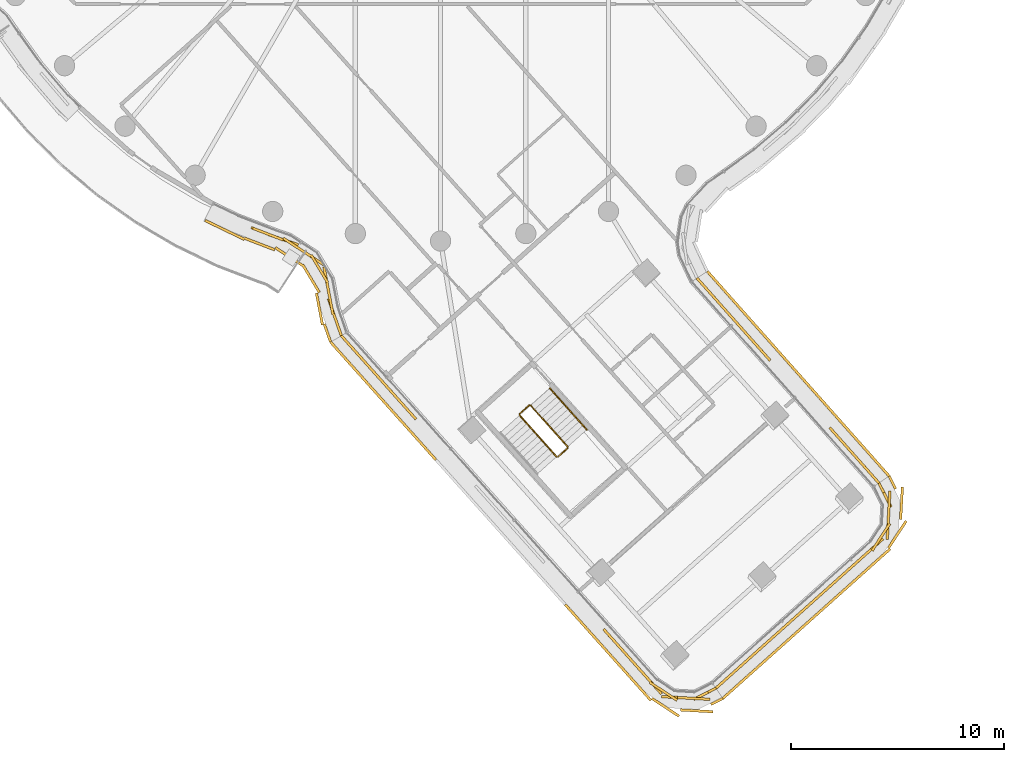
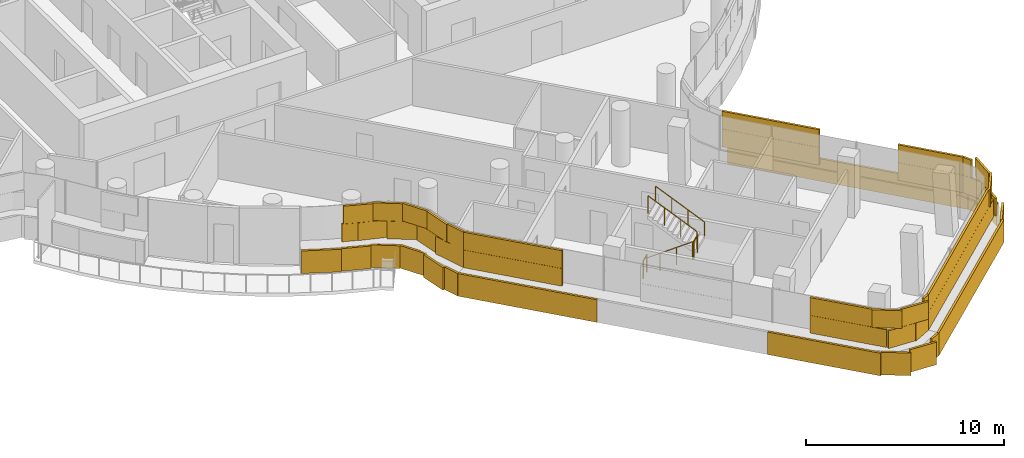
# One storey, part 27 of 33: 5 coverings, 5 railings.
"""IFC4 building model written with IfcOpenShell, lengths in metres."""

import ifcopenshell
import ifcopenshell.guid

model = None  # the IFC model being written
_history = None  # IfcOwnerHistory: only IFC2X3 demands one
_inside = {}  # id of a spatial element -> (the spatial element, [elements in it])
_under = {}  # id of a project, library or spatial element -> (it, [spatial elements below it])
_declared = {}  # id of a project -> (the project, [libraries it declares])
_typed = {}  # id of a type object -> (the type object, [elements of that type])
_made_of = {}  # id of a material, layer set ... -> (it, [elements and type objects made of it])


def new_model(schema):
    """Start an empty IFC model of exactly this schema.

    Asked for "IFC4X3", IfcOpenShell would pick the latest addendum, in which some entities
    have other attributes; the version numbers below select the first issue.
    IFC2X3 requires an IfcOwnerHistory on every rooted entity: one is made here for all.
    """
    global model, _history
    if schema == "IFC4X3":
        model = ifcopenshell.file(schema_version=(4, 3, 0, 0))
    else:
        model = ifcopenshell.file(schema=schema)
    _inside.clear()
    _under.clear()
    _declared.clear()
    _typed.clear()
    _made_of.clear()
    _history = None
    if model.schema == "IFC2X3":
        org = make("IfcOrganization", Name="unknown")
        user = make(
            "IfcPersonAndOrganization",
            ThePerson=make("IfcPerson", FamilyName="unknown"),
            TheOrganization=org,
        )
        app = make(
            "IfcApplication",
            ApplicationDeveloper=org,
            Version="unknown",
            ApplicationFullName="unknown",
            ApplicationIdentifier="unknown",
        )
        _history = make(
            "IfcOwnerHistory",
            OwningUser=user,
            OwningApplication=app,
            ChangeAction="ADDED",
            CreationDate=0,
        )
    return model


def make(cls, **values):
    """One entity of the class cls with the attributes given. An attribute that is None is left unset."""
    return model.create_entity(
        cls, **{name: value for name, value in values.items() if value is not None}
    )


def rooted(cls, **values):
    """An entity with a GlobalId (a new one), such as an element, a storey or a relation."""
    return make(cls, GlobalId=ifcopenshell.guid.new(), OwnerHistory=_history, **values)


def si_unit(unit_type, name, prefix=None):
    """IfcSIUnit, for example si_unit("LENGTHUNIT", "METRE", prefix="MILLI")."""
    return make("IfcSIUnit", UnitType=unit_type, Prefix=prefix, Name=name)


def assignment(units):
    """IfcUnitAssignment: the units of a project."""
    return None if units is None else make("IfcUnitAssignment", Units=units)


def point(xyz):
    """IfcCartesianPoint."""
    return None if xyz is None else make("IfcCartesianPoint", Coordinates=xyz)


def direction(xyz):
    """IfcDirection."""
    return None if xyz is None else make("IfcDirection", DirectionRatios=xyz)


def frame(location, z_axis=None, x_axis=None):
    """IfcAxis2Placement3D, a coordinate frame: its origin and axes. An axis left out is left unset."""
    return make(
        "IfcAxis2Placement3D",
        Location=point(location),
        Axis=direction(z_axis),
        RefDirection=direction(x_axis),
    )


def frame_2d(location, x_axis=None):
    """IfcAxis2Placement2D, a coordinate frame in the plane: its origin and x axis."""
    return make(
        "IfcAxis2Placement2D", Location=point(location), RefDirection=direction(x_axis)
    )


def origin():
    """The frame at (0, 0, 0) with its axes left unset."""
    return frame((0.0, 0.0, 0.0))


def origin_2d():
    """The frame at (0, 0) in the plane with its x axis left unset."""
    return frame_2d((0.0, 0.0))


def place(relative_to, where):
    """IfcLocalPlacement: puts the frame where relative to a parent placement (None: the world)."""
    return make(
        "IfcLocalPlacement", PlacementRelTo=relative_to, RelativePlacement=where
    )


def context(
    kind, dimensions, precision=None, world=None, true_north=None, identifier=None
):
    """IfcGeometricRepresentationContext, for example the 3D "Model" context."""
    return make(
        "IfcGeometricRepresentationContext",
        ContextIdentifier=identifier,
        ContextType=kind,
        CoordinateSpaceDimension=dimensions,
        Precision=precision,
        WorldCoordinateSystem=world,
        TrueNorth=true_north,
    )


def subcontext(parent, identifier, kind, view, scale=None):
    """IfcGeometricRepresentationSubContext, for example "Body" below "Model"."""
    return make(
        "IfcGeometricRepresentationSubContext",
        ContextIdentifier=identifier,
        ContextType=kind,
        ParentContext=parent,
        TargetScale=scale,
        TargetView=view,
    )


def project(units=None, contexts=None):
    """IfcProject with its units and contexts."""
    return rooted(
        "IfcProject",
        Name="project",
        RepresentationContexts=contexts,
        UnitsInContext=assignment(units),
    )


def spatial(cls, under=None, at=None, **own):
    """A site, building, storey or space (cls), placed at a placement, below another one or the project."""
    s = rooted(cls, ObjectPlacement=at, **own)
    if under is not None:
        _under.setdefault(under.id(), (under, []))[1].append(s)
    return s


def profile(cls, at=None, kind="AREA", **sizes):
    """A parametric profile (cls). Its sizes go by their IFC names, for example OverallWidth=200.0."""
    return make(cls, ProfileType=kind, Position=at, **sizes)


def rectangle(**sizes):
    """IfcRectangleProfileDef."""
    return profile("IfcRectangleProfileDef", **sizes)


def circle(**sizes):
    """IfcCircleProfileDef."""
    return profile("IfcCircleProfileDef", **sizes)


def extrude(swept, where, along, depth):
    """IfcExtrudedAreaSolid: the profile swept, set in the frame where, extruded along a direction by depth."""
    return make(
        "IfcExtrudedAreaSolid",
        SweptArea=swept,
        Position=where,
        ExtrudedDirection=direction(along),
        Depth=depth,
    )


def shape(context_of_items, identifier, shape_type, items):
    """IfcShapeRepresentation: the items that make up one representation, for example the "Body"."""
    return make(
        "IfcShapeRepresentation",
        ContextOfItems=context_of_items,
        RepresentationIdentifier=identifier,
        RepresentationType=shape_type,
        Items=items,
    )


def material(Name=None, Category=None):
    """IfcMaterial."""
    return make("IfcMaterial", Name=Name, Category=Category)


def layer(
    of_material, thickness, ventilated=None, Name=None, Category=None, Priority=None
):
    """IfcMaterialLayer: one layer of a wall or slab, of a material (None: an air gap)."""
    return make(
        "IfcMaterialLayer",
        Material=of_material,
        LayerThickness=thickness,
        IsVentilated=ventilated,
        Name=Name,
        Category=Category,
        Priority=Priority,
    )


def layer_set(layers, Name=None):
    """IfcMaterialLayerSet."""
    return make("IfcMaterialLayerSet", MaterialLayers=layers, LayerSetName=Name)


def made_of(thing, what):
    """Note that an element or type object is made of a material, layer set ...; save() writes the relation."""
    if what is not None:
        _made_of.setdefault(what.id(), (what, []))[1].append(thing)
    return thing


def type_object(cls, material=None, **own):
    """A type object (cls), such as IfcWallType, which elements share."""
    return made_of(rooted(cls, **own), material)


def element(
    cls,
    number,
    at=None,
    inside=None,
    cuts=None,
    type_object=None,
    material=None,
    context=None,
    identifier="Body",
    shape_type=None,
    held_by="IfcProductDefinitionShape",
    body=None,
    shapes=None,
    **own,
):
    """One element of the class cls, such as IfcWall. Its Tag is "e" and its number.

    at: its placement. inside: the storey or other place that contains it. cuts: it is an
    opening in that element (IfcRelVoidsElement). A single representation is given by context,
    identifier, shape_type and body (its items); several are given by shapes. held_by: the class
    of the entity that holds the representations. save() writes the other relations.
    """
    e = rooted(cls, Tag="e%d" % number, ObjectPlacement=at, **own)
    if body is not None:
        shapes = [shape(context, identifier, shape_type, body)]
    if shapes is not None:
        e.Representation = make(held_by, Representations=shapes)
    if inside is not None:
        _inside.setdefault(inside.id(), (inside, []))[1].append(e)
    if cuts is not None:
        rooted(
            "IfcRelVoidsElement", RelatingBuildingElement=cuts, RelatedOpeningElement=e
        )
    if type_object is not None:
        _typed.setdefault(type_object.id(), (type_object, []))[1].append(e)
    return made_of(e, material)


def aggregate(whole, parts):
    """IfcRelAggregates: a whole, such as a stair, and the parts it consists of."""
    return rooted("IfcRelAggregates", RelatingObject=whole, RelatedObjects=parts)


def save(model, path):
    """Write the relations noted so far, then the file.

    IfcRelAggregates (storeys below a building ...), IfcRelContainedInSpatialStructure (elements
    in a storey), IfcRelDefinesByType, IfcRelAssociatesMaterial and IfcRelDeclares: one each for
    every whole, place, type object, material and project.
    """
    for whole, parts in _under.values():
        aggregate(whole, parts)
    for where, things in _inside.values():
        rooted(
            "IfcRelContainedInSpatialStructure",
            RelatedElements=things,
            RelatingStructure=where,
        )
    for kind, things in _typed.values():
        rooted("IfcRelDefinesByType", RelatedObjects=things, RelatingType=kind)
    for what, things in _made_of.values():
        rooted("IfcRelAssociatesMaterial", RelatedObjects=things, RelatingMaterial=what)
    for by, libraries in _declared.values():
        rooted("IfcRelDeclares", RelatingContext=by, RelatedDefinitions=libraries)
    model.write(path)


model = new_model("IFC4")

# Units and contexts
model_context = context("Model", 3, precision=1e-05, world=origin(), true_north=direction((0.0, 1.0)))
body_context = subcontext(model_context, "Body", "Model", "MODEL_VIEW")
ifc_project = project(units=[si_unit("LENGTHUNIT", "METRE"), si_unit("AREAUNIT", "SQUARE_METRE"), si_unit("VOLUMEUNIT", "CUBIC_METRE"), si_unit("PLANEANGLEUNIT", "RADIAN"), si_unit("MASSUNIT", "GRAM", prefix="KILO")], contexts=[model_context])

# Site, building, storey
site_placement = place(None, origin())
site = spatial("IfcSite", under=ifc_project, at=site_placement, CompositionType="ELEMENT")
building_placement = place(site_placement, origin())
building = spatial("IfcBuilding", under=site, at=building_placement, Name="Tamarind Cross Interchange Tower", CompositionType="ELEMENT")
storey_placement = place(building_placement, frame((0.0, 0.0, 186.10009765625)))
storey = spatial("IfcBuildingStorey", under=building, at=storey_placement, Name="L46", CompositionType="ELEMENT", Elevation=186.10009765625)

# Railings
ifc_material_1 = material(Name="Stair guard")
railing_type_1 = type_object("IfcRailingType", Name="Stair guard", PredefinedType="GUARDRAIL", material=ifc_material_1)
railing_1_placement = place(storey_placement, frame((3.7001953125, -31.166259765625, 0.16357421875)))
element("IfcRailing", 1, at=railing_1_placement, inside=storey, type_object=railing_type_1, Name="L46 ST6 stair guard 1", PredefinedType="GUARDRAIL", context=body_context, shape_type="SweptSolid", body=[
    extrude(circle(Radius=0.02392578125, at=origin_2d()), frame((0.0, 0.0, 1.076171875), z_axis=(0.564022200762, -0.63101821531, 0.532630236651), x_axis=(0.745577674844, 0.666418735311, 0.0)), (0.0, 0.0, 1.0), 3.072021484375),
    extrude(circle(Radius=0.02099609375, at=origin_2d()), origin(), (0.0, 0.0, 1.0), 1.052001953125),
    extrude(circle(Radius=0.02099609375, at=origin_2d()), frame((0.57763671875, -0.646240234375, 0.54541015625)), (0.0, 0.0, 1.0), 1.052001953125),
    extrude(circle(Radius=0.02099609375, at=origin_2d()), frame((1.155029296875, -1.292236328125, 1.0908203125)), (0.0, 0.0, 1.0), 1.052001953125),
    extrude(circle(Radius=0.02099609375, at=origin_2d()), frame((1.732666015625, -1.9384765625, 1.63623046875)), (0.0, 0.0, 1.0), 1.052001953125),
])
railing_2_placement = place(storey_placement, frame((5.50341796875, -33.108642578125, 1.7998046875)))
element("IfcRailing", 2, at=railing_2_placement, inside=storey, type_object=railing_type_1, Name="L46 ST6 stair guard 2", PredefinedType="GUARDRAIL", context=body_context, shape_type="SweptSolid", body=[
    extrude(circle(Radius=0.02392578125, at=origin_2d()), frame((0.0, 0.0, 1.076171875), z_axis=(0.745677614486, 0.666306907704, 0.0), x_axis=(-0.666306907704, 0.745677614486, 0.0)), (0.0, 0.0, 1.0), 0.599853515625),
    extrude(circle(Radius=0.02099609375, at=origin_2d()), origin(), (0.0, 0.0, 1.0), 1.052001953125),
    extrude(circle(Radius=0.02099609375, at=origin_2d()), frame((0.447265625, 0.399658203125, 0.0)), (0.0, 0.0, 1.0), 1.052001953125),
])
railing_3_placement = place(storey_placement, frame((5.954833984375, -32.638427734375, 1.963623046875)))
element("IfcRailing", 3, at=railing_3_placement, inside=storey, type_object=railing_type_1, Name="L46 ST6 stair guard 3", PredefinedType="GUARDRAIL", context=body_context, shape_type="SweptSolid", body=[
    extrude(circle(Radius=0.02392578125, at=origin_2d()), frame((0.0, 0.0, 1.076171875), z_axis=(-0.564048103258, 0.63103775542, 0.532579654555), x_axis=(-0.745572721896, -0.666424276542, 0.0)), (0.0, 0.0, 1.0), 3.072265625),
    extrude(circle(Radius=0.02099609375, at=origin_2d()), origin(), (0.0, 0.0, 1.0), 1.052001953125),
    extrude(circle(Radius=0.02099609375, at=origin_2d()), frame((-0.57763671875, 0.646240234375, 0.54541015625)), (0.0, 0.0, 1.0), 1.052001953125),
    extrude(circle(Radius=0.02099609375, at=origin_2d()), frame((-1.1552734375, 1.29248046875, 1.0908203125)), (0.0, 0.0, 1.0), 1.052001953125),
    extrude(circle(Radius=0.02099609375, at=origin_2d()), frame((-1.73291015625, 1.938720703125, 1.63623046875)), (0.0, 0.0, 1.0), 1.052001953125),
])
railing_4_placement = place(storey_placement, frame((3.7041015625, -31.095703125, 0.0)))
element("IfcRailing", 4, at=railing_4_placement, inside=storey, type_object=railing_type_1, Name="L46 ST6 stair guard 4", PredefinedType="GUARDRAIL", context=body_context, shape_type="SweptSolid", body=[
    extrude(circle(Radius=0.02392578125, at=origin_2d()), frame((0.0, 0.0, 1.076171875), z_axis=(0.74547540245, 0.666533138217, 0.0), x_axis=(-0.666533138217, 0.74547540245, 0.0)), (0.0, 0.0, 1.0), 0.599853515625),
    extrude(circle(Radius=0.02099609375, at=origin_2d()), origin(), (0.0, 0.0, 1.0), 1.052001953125),
    extrude(circle(Radius=0.02099609375, at=origin_2d()), frame((0.447265625, 0.39990234375, 0.0)), (0.0, 0.0, 1.0), 1.052001953125),
])
ifc_material_2 = material(Name="Stair handrail")
railing_type_2 = type_object("IfcRailingType", Name="Stair handrail", PredefinedType="HANDRAIL", material=ifc_material_2)
railing_5_placement = place(storey_placement, frame((6.849365234375, -31.838623046875, 1.963623046875)))
element("IfcRailing", 5, at=railing_5_placement, inside=storey, type_object=railing_type_2, Name="L46 ST6 stair handrail 2", PredefinedType="HANDRAIL", context=body_context, shape_type="SweptSolid", body=[
    extrude(circle(Radius=0.02392578125, at=origin_2d()), frame((0.0, 0.0, 0.8759765625), z_axis=(-0.564022200762, 0.63101821531, 0.532630236651), x_axis=(-0.745577674844, -0.666418735311, 0.0)), (0.0, 0.0, 1.0), 3.072021484375),
    extrude(circle(Radius=0.02099609375, at=origin_2d()), origin(), (0.0, 0.0, 1.0), 0.851806640625),
    extrude(circle(Radius=0.02099609375, at=origin_2d()), frame((-0.57763671875, 0.646240234375, 0.54541015625)), (0.0, 0.0, 1.0), 0.851806640625),
    extrude(circle(Radius=0.02099609375, at=origin_2d()), frame((-1.155029296875, 1.292236328125, 1.0908203125)), (0.0, 0.0, 1.0), 0.851806640625),
    extrude(circle(Radius=0.02099609375, at=origin_2d()), frame((-1.732666015625, 1.9384765625, 1.63623046875)), (0.0, 0.0, 1.0), 0.851806640625),
])

# Coverings
ifc_material_3 = material(Name="Terracotta", Category="masonry")
ifc_layer = layer(ifc_material_3, 0.1201171875)
ifc_layer_set = layer_set([ifc_layer], Name="Terracotta")
covering_type = type_object("IfcCoveringType", Name="Terracotta baguette screen unit", PredefinedType="MOLDING", material=ifc_layer_set)
covering_1_placement = place(storey_placement, origin())
element("IfcCovering", 6, at=covering_1_placement, inside=storey, type_object=covering_type, Name="SCR-L46-02-01", PredefinedType="MOLDING", context=body_context, shape_type="SweptSolid", body=[
    extrude(rectangle(XDim=0.84326171875, YDim=0.1201171875, at=origin_2d()), frame((-8.47705078125, -22.523681640625, 1.40380859375), z_axis=(0.0, 0.0, 1.0), x_axis=(0.933146843667, -0.359495435512, 0.0)), (0.0, 0.0, 1.0), 1.092041015625),
    extrude(rectangle(XDim=1.52001953125, YDim=0.1201171875, at=origin_2d()), frame((-7.3837890625, -22.930419921875, 1.40380859375), z_axis=(0.0, 0.0, 1.0), x_axis=(0.946106726649, -0.32385500118, 0.0)), (0.0, 0.0, 1.0), 1.092041015625),
    extrude(rectangle(XDim=1.52001953125, YDim=0.1201171875, at=origin_2d()), frame((-6.102783203125, -23.69873046875, 1.40380859375), z_axis=(0.0, 0.0, 1.0), x_axis=(0.83630937517, -0.548257812532, 0.0)), (0.0, 0.0, 1.0), 1.092041015625),
    extrude(rectangle(XDim=1.52001953125, YDim=0.1201171875, at=origin_2d()), frame((-5.324462890625, -24.958984375, 1.40380859375), z_axis=(0.0, 0.0, 1.0), x_axis=(0.186148411563, -0.982521637865, 0.0)), (0.0, 0.0, 1.0), 1.092041015625),
    extrude(rectangle(XDim=1.52001953125, YDim=0.1201171875, at=origin_2d()), frame((-5.0048828125, -26.421875, 1.40380859375), z_axis=(0.0, 0.0, 1.0), x_axis=(0.330382610019, -0.943847090898, 0.0)), (0.0, 0.0, 1.0), 1.092041015625),
    extrude(rectangle(XDim=0.33544921875, YDim=0.1201171875, at=origin_2d()), frame((-4.703369140625, -27.283447265625, 1.40380859375), z_axis=(0.0, 0.0, 1.0), x_axis=(0.330382610019, -0.943847090898, 0.0)), (0.0, 0.0, 1.0), 1.092041015625),
    extrude(rectangle(XDim=1.52001953125, YDim=0.1201171875, at=origin_2d()), frame((-8.088134765625, -22.673583984375, 2.50390625), z_axis=(0.0, 0.0, 1.0), x_axis=(0.933146843667, -0.359495435512, 0.0)), (0.0, 0.0, 1.0), 1.092041015625),
    extrude(rectangle(XDim=1.52001953125, YDim=0.1201171875, at=origin_2d()), frame((-6.730224609375, -23.28759765625, 2.50390625), z_axis=(0.0, 0.0, 1.0), x_axis=(0.83630937517, -0.548257812532, 0.0)), (0.0, 0.0, 1.0), 1.092041015625),
    extrude(rectangle(XDim=1.52001953125, YDim=0.1201171875, at=origin_2d()), frame((-5.676513671875, -24.302734375, 2.50390625), z_axis=(0.0, 0.0, 1.0), x_axis=(0.513169746334, -0.858287138112, 0.0)), (0.0, 0.0, 1.0), 1.092041015625),
    extrude(rectangle(XDim=1.52001953125, YDim=0.1201171875, at=origin_2d()), frame((-5.184814453125, -25.69580078125, 2.50390625), z_axis=(0.0, 0.0, 1.0), x_axis=(0.186148411563, -0.982521637865, 0.0)), (0.0, 0.0, 1.0), 1.092041015625),
    extrude(rectangle(XDim=1.08544921875, YDim=0.1201171875, at=origin_2d()), frame((-4.8271484375, -26.929443359375, 2.50390625), z_axis=(0.0, 0.0, 1.0), x_axis=(0.330382610019, -0.943847090898, 0.0)), (0.0, 0.0, 1.0), 1.092041015625),
    extrude(rectangle(XDim=0.549072265625, YDim=0.1201171875, at=origin_2d()), frame((-10.79150390625, -22.150634765625, 0.00390625), z_axis=(0.0, 0.0, 1.0), x_axis=(0.900272776334, -0.435326231914, 0.0)), (0.0, 0.0, 1.0), 1.39208984375),
    extrude(rectangle(XDim=1.52001953125, YDim=0.1201171875, at=origin_2d()), frame((-9.878173828125, -22.59228515625, 0.00390625), z_axis=(0.0, 0.0, 1.0), x_axis=(0.900272776334, -0.435326231914, 0.0)), (0.0, 0.0, 1.0), 1.39208984375),
    extrude(rectangle(XDim=1.52001953125, YDim=0.1201171875, at=origin_2d()), frame((-8.48095703125, -23.137451171875, 0.00390625), z_axis=(0.0, 0.0, 1.0), x_axis=(0.933146843667, -0.359495435512, 0.0)), (0.0, 0.0, 1.0), 1.39208984375),
    extrude(rectangle(XDim=1.52001953125, YDim=0.1201171875, at=origin_2d()), frame((-7.109130859375, -23.7255859375, 0.00390625), z_axis=(0.0, 0.0, 1.0), x_axis=(0.83630937517, -0.548257812532, 0.0)), (0.0, 0.0, 1.0), 1.39208984375),
    extrude(rectangle(XDim=1.52001953125, YDim=0.1201171875, at=origin_2d()), frame((-6.0732421875, -24.7578125, 0.00390625), z_axis=(0.0, 0.0, 1.0), x_axis=(0.513169746334, -0.858287138112, 0.0)), (0.0, 0.0, 1.0), 1.39208984375),
    extrude(rectangle(XDim=1.52001953125, YDim=0.1201171875, at=origin_2d()), frame((-5.676025390625, -26.186767578125, 0.00390625), z_axis=(0.0, 0.0, 1.0), x_axis=(0.186148411563, -0.982521637865, 0.0)), (0.0, 0.0, 1.0), 1.39208984375),
    extrude(rectangle(XDim=0.894775390625, YDim=0.1201171875, at=origin_2d()), frame((-5.301513671875, -27.312255859375, 0.00390625), z_axis=(0.0, 0.0, 1.0), x_axis=(0.330382610019, -0.943847090898, 0.0)), (0.0, 0.0, 1.0), 1.39208984375),
])
covering_2_placement = place(storey_placement, origin())
element("IfcCovering", 7, at=covering_2_placement, inside=storey, type_object=covering_type, Name="SCR-L46-03-00", PredefinedType="MOLDING", context=body_context, shape_type="SweptSolid", body=[
    extrude(rectangle(XDim=1.510009765625, YDim=0.1201171875, at=origin_2d()), frame((-4.149658203125, -27.996337890625, 1.40380859375), z_axis=(0.0, 0.0, 1.0), x_axis=(0.666428375667, -0.745569057905, 0.0)), (0.0, 0.0, 1.0), 1.092041015625),
    extrude(rectangle(XDim=1.52001953125, YDim=0.1201171875, at=origin_2d()), frame((-3.150146484375, -29.114501953125, 1.40380859375), z_axis=(0.0, 0.0, 1.0), x_axis=(0.666428375667, -0.745569057905, 0.0)), (0.0, 0.0, 1.0), 1.092041015625),
    extrude(rectangle(XDim=1.52001953125, YDim=0.1201171875, at=origin_2d()), frame((-2.150390625, -30.23291015625, 1.40380859375), z_axis=(0.0, 0.0, 1.0), x_axis=(0.666428375667, -0.745569057905, 0.0)), (0.0, 0.0, 1.0), 1.092041015625),
    extrude(rectangle(XDim=0.7470703125, YDim=0.1201171875, at=origin_2d()), frame((-1.405029296875, -31.06689453125, 1.40380859375), z_axis=(0.0, 0.0, 1.0), x_axis=(0.666428375667, -0.745569057905, 0.0)), (0.0, 0.0, 1.0), 1.092041015625),
    extrude(rectangle(XDim=0.760009765625, YDim=0.1201171875, at=origin_2d()), frame((-4.399658203125, -27.716552734375, 2.50390625), z_axis=(0.0, 0.0, 1.0), x_axis=(0.666428375667, -0.745569057905, 0.0)), (0.0, 0.0, 1.0), 1.092041015625),
    extrude(rectangle(XDim=1.52001953125, YDim=0.1201171875, at=origin_2d()), frame((-3.64990234375, -28.555419921875, 2.50390625), z_axis=(0.0, 0.0, 1.0), x_axis=(0.666428375667, -0.745569057905, 0.0)), (0.0, 0.0, 1.0), 1.092041015625),
    extrude(rectangle(XDim=1.52001953125, YDim=0.1201171875, at=origin_2d()), frame((-2.650390625, -29.673828125, 2.50390625), z_axis=(0.0, 0.0, 1.0), x_axis=(0.666428375667, -0.745569057905, 0.0)), (0.0, 0.0, 1.0), 1.092041015625),
    extrude(rectangle(XDim=1.4970703125, YDim=0.1201171875, at=origin_2d()), frame((-1.655029296875, -30.787353515625, 2.50390625), z_axis=(0.0, 0.0, 1.0), x_axis=(0.666428375667, -0.745569057905, 0.0)), (0.0, 0.0, 1.0), 1.092041015625),
    extrude(rectangle(XDim=1.510009765625, YDim=0.1201171875, at=origin_2d()), frame((-4.650390625, -28.29736328125, 0.00390625), z_axis=(0.0, 0.0, 1.0), x_axis=(0.666428375667, -0.745569057905, 0.0)), (0.0, 0.0, 1.0), 1.39208984375),
    extrude(rectangle(XDim=1.52001953125, YDim=0.1201171875, at=origin_2d()), frame((-3.654052734375, -29.412109375, 0.00390625), z_axis=(0.0, 0.0, 1.0), x_axis=(0.666428375667, -0.745569057905, 0.0)), (0.0, 0.0, 1.0), 1.39208984375),
    extrude(rectangle(XDim=1.52001953125, YDim=0.1201171875, at=origin_2d()), frame((-2.654541015625, -30.5302734375, 0.00390625), z_axis=(0.0, 0.0, 1.0), x_axis=(0.666428375667, -0.745569057905, 0.0)), (0.0, 0.0, 1.0), 1.39208984375),
    extrude(rectangle(XDim=1.52001953125, YDim=0.1201171875, at=origin_2d()), frame((-1.65478515625, -31.648681640625, 0.00390625), z_axis=(0.0, 0.0, 1.0), x_axis=(0.666428375667, -0.745569057905, 0.0)), (0.0, 0.0, 1.0), 1.39208984375),
    extrude(rectangle(XDim=1.410400390625, YDim=0.1201171875, at=origin_2d()), frame((-0.691650390625, -32.726318359375, 0.00390625), z_axis=(0.0, 0.0, 1.0), x_axis=(0.666428375667, -0.745569057905, 0.0)), (0.0, 0.0, 1.0), 1.39208984375),
])
covering_3_placement = place(storey_placement, origin())
element("IfcCovering", 8, at=covering_3_placement, inside=storey, type_object=covering_type, Name="SCR-L46-03-02", PredefinedType="MOLDING", context=body_context, shape_type="SweptSolid", body=[
    extrude(rectangle(XDim=1.060791015625, YDim=0.1201171875, at=origin_2d()), frame((7.99560546875, -41.583984375, 1.40380859375), z_axis=(0.0, 0.0, 1.0), x_axis=(0.666428375667, -0.745569057905, 0.0)), (0.0, 0.0, 1.0), 1.092041015625),
    extrude(rectangle(XDim=1.52001953125, YDim=0.1201171875, at=origin_2d()), frame((8.845703125, -42.534912109375, 1.40380859375), z_axis=(0.0, 0.0, 1.0), x_axis=(0.666428375667, -0.745569057905, 0.0)), (0.0, 0.0, 1.0), 1.092041015625),
    extrude(rectangle(XDim=1.52001953125, YDim=0.1201171875, at=origin_2d()), frame((9.84521484375, -43.653076171875, 1.40380859375), z_axis=(0.0, 0.0, 1.0), x_axis=(0.666428375667, -0.745569057905, 0.0)), (0.0, 0.0, 1.0), 1.092041015625),
    extrude(rectangle(XDim=1.52001953125, YDim=0.1201171875, at=origin_2d()), frame((11.10986328125, -44.3876953125, 1.40380859375), z_axis=(0.0, 0.0, 1.0), x_axis=(0.998432960297, -0.055960913078, 0.0)), (0.0, 0.0, 1.0), 1.092041015625),
    extrude(rectangle(XDim=1.16552734375, YDim=0.1201171875, at=origin_2d()), frame((12.383544921875, -44.212158203125, 1.40380859375), z_axis=(0.0, 0.0, 1.0), x_axis=(0.892648764132, 0.450752907804, 0.0)), (0.0, 0.0, 1.0), 1.092041015625),
    extrude(rectangle(XDim=0.310791015625, YDim=0.1201171875, at=origin_2d()), frame((7.74560546875, -41.304443359375, 2.50390625), z_axis=(0.0, 0.0, 1.0), x_axis=(0.666428375667, -0.745569057905, 0.0)), (0.0, 0.0, 1.0), 1.092041015625),
    extrude(rectangle(XDim=1.52001953125, YDim=0.1201171875, at=origin_2d()), frame((8.345703125, -41.9755859375, 2.50390625), z_axis=(0.0, 0.0, 1.0), x_axis=(0.666428375667, -0.745569057905, 0.0)), (0.0, 0.0, 1.0), 1.092041015625),
    extrude(rectangle(XDim=1.52001953125, YDim=0.1201171875, at=origin_2d()), frame((9.345458984375, -43.093994140625, 2.50390625), z_axis=(0.0, 0.0, 1.0), x_axis=(0.666428375667, -0.745569057905, 0.0)), (0.0, 0.0, 1.0), 1.092041015625),
    extrude(rectangle(XDim=1.52001953125, YDim=0.1201171875, at=origin_2d()), frame((10.442138671875, -44.099609375, 2.50390625), z_axis=(0.0, 0.0, 1.0), x_axis=(0.836687851054, -0.547680052493, 0.0)), (0.0, 0.0, 1.0), 1.092041015625),
    extrude(rectangle(XDim=1.52001953125, YDim=0.1201171875, at=origin_2d()), frame((11.85888671875, -44.4296875, 2.50390625), z_axis=(0.0, 0.0, 1.0), x_axis=(0.998432960297, -0.055960913078, 0.0)), (0.0, 0.0, 1.0), 1.092041015625),
    extrude(rectangle(XDim=0.41552734375, YDim=0.1201171875, at=origin_2d()), frame((12.71826171875, -44.04296875, 2.50390625), z_axis=(0.0, 0.0, 1.0), x_axis=(0.892648764132, 0.450752907804, 0.0)), (0.0, 0.0, 1.0), 1.092041015625),
    extrude(rectangle(XDim=1.52001953125, YDim=0.1201171875, at=origin_2d()), frame((6.34228515625, -40.595458984375, 0.00390625), z_axis=(0.0, 0.0, 1.0), x_axis=(0.666428375667, -0.745569057905, 0.0)), (0.0, 0.0, 1.0), 1.39208984375),
    extrude(rectangle(XDim=1.52001953125, YDim=0.1201171875, at=origin_2d()), frame((7.341796875, -41.7138671875, 0.00390625), z_axis=(0.0, 0.0, 1.0), x_axis=(0.666428375667, -0.745569057905, 0.0)), (0.0, 0.0, 1.0), 1.39208984375),
    extrude(rectangle(XDim=1.52001953125, YDim=0.1201171875, at=origin_2d()), frame((8.341552734375, -42.832275390625, 0.00390625), z_axis=(0.0, 0.0, 1.0), x_axis=(0.666428375667, -0.745569057905, 0.0)), (0.0, 0.0, 1.0), 1.39208984375),
    extrude(rectangle(XDim=1.52001953125, YDim=0.1201171875, at=origin_2d()), frame((9.341064453125, -43.95068359375, 0.00390625), z_axis=(0.0, 0.0, 1.0), x_axis=(0.666428375667, -0.745569057905, 0.0)), (0.0, 0.0, 1.0), 1.39208984375),
    extrude(rectangle(XDim=1.52001953125, YDim=0.1201171875, at=origin_2d()), frame((10.533447265625, -44.84521484375, 0.00390625), z_axis=(0.0, 0.0, 1.0), x_axis=(0.836687851054, -0.547680052493, 0.0)), (0.0, 0.0, 1.0), 1.39208984375),
    extrude(rectangle(XDim=1.52001953125, YDim=0.1201171875, at=origin_2d()), frame((12.00341796875, -45.0126953125, 0.00390625), z_axis=(0.0, 0.0, 1.0), x_axis=(0.998432960297, -0.055960913078, 0.0)), (0.0, 0.0, 1.0), 1.39208984375),
    extrude(rectangle(XDim=0.621826171875, YDim=0.1201171875, at=origin_2d()), frame((12.947998046875, -44.570068359375, 0.00390625), z_axis=(0.0, 0.0, 1.0), x_axis=(0.892648764132, 0.450752907804, 0.0)), (0.0, 0.0, 1.0), 1.39208984375),
])
covering_4_placement = place(storey_placement, origin())
element("IfcCovering", 9, at=covering_4_placement, inside=storey, type_object=covering_type, Name="SCR-L46-04-00", PredefinedType="MOLDING", context=body_context, shape_type="SweptSolid", body=[
    extrude(rectangle(XDim=1.510009765625, YDim=0.1201171875, at=origin_2d()), frame((13.45849609375, -43.45166015625, 1.40380859375), z_axis=(0.0, 0.0, 1.0), x_axis=(0.745569057905, 0.666428375667, 0.0)), (0.0, 0.0, 1.0), 1.092041015625),
    extrude(rectangle(XDim=1.52001953125, YDim=0.1201171875, at=origin_2d()), frame((14.576904296875, -42.4521484375, 1.40380859375), z_axis=(0.0, 0.0, 1.0), x_axis=(0.745569057905, 0.666428375667, 0.0)), (0.0, 0.0, 1.0), 1.092041015625),
    extrude(rectangle(XDim=1.52001953125, YDim=0.1201171875, at=origin_2d()), frame((15.695068359375, -41.452392578125, 1.40380859375), z_axis=(0.0, 0.0, 1.0), x_axis=(0.745569057905, 0.666428375667, 0.0)), (0.0, 0.0, 1.0), 1.092041015625),
    extrude(rectangle(XDim=1.52001953125, YDim=0.1201171875, at=origin_2d()), frame((16.8134765625, -40.452880859375, 1.40380859375), z_axis=(0.0, 0.0, 1.0), x_axis=(0.745569057905, 0.666428375667, 0.0)), (0.0, 0.0, 1.0), 1.092041015625),
    extrude(rectangle(XDim=1.52001953125, YDim=0.1201171875, at=origin_2d()), frame((17.931884765625, -39.453125, 1.40380859375), z_axis=(0.0, 0.0, 1.0), x_axis=(0.745569057905, 0.666428375667, 0.0)), (0.0, 0.0, 1.0), 1.092041015625),
    extrude(rectangle(XDim=1.52001953125, YDim=0.1201171875, at=origin_2d()), frame((19.05029296875, -38.45361328125, 1.40380859375), z_axis=(0.0, 0.0, 1.0), x_axis=(0.745569057905, 0.666428375667, 0.0)), (0.0, 0.0, 1.0), 1.092041015625),
    extrude(rectangle(XDim=1.52001953125, YDim=0.1201171875, at=origin_2d()), frame((20.168701171875, -37.453857421875, 1.40380859375), z_axis=(0.0, 0.0, 1.0), x_axis=(0.745569057905, 0.666428375667, 0.0)), (0.0, 0.0, 1.0), 1.092041015625),
    extrude(rectangle(XDim=1.52001953125, YDim=0.1201171875, at=origin_2d()), frame((20.968017578125, -36.220458984375, 1.40380859375), z_axis=(0.0, 0.0, 1.0), x_axis=(0.055960913078, 0.998432960297, 0.0)), (0.0, 0.0, 1.0), 1.092041015625),
    extrude(rectangle(XDim=1.259521484375, YDim=0.1201171875, at=origin_2d()), frame((20.81884765625, -34.89501953125, 1.40380859375), z_axis=(0.0, 0.0, 1.0), x_axis=(-0.450752907804, 0.892648764132, 0.0)), (0.0, 0.0, 1.0), 1.092041015625),
    extrude(rectangle(XDim=0.760009765625, YDim=0.1201171875, at=origin_2d()), frame((13.178955078125, -43.70166015625, 2.50390625), z_axis=(0.0, 0.0, 1.0), x_axis=(0.745569057905, 0.666428375667, 0.0)), (0.0, 0.0, 1.0), 1.092041015625),
    extrude(rectangle(XDim=1.52001953125, YDim=0.1201171875, at=origin_2d()), frame((14.017578125, -42.951904296875, 2.50390625), z_axis=(0.0, 0.0, 1.0), x_axis=(0.745569057905, 0.666428375667, 0.0)), (0.0, 0.0, 1.0), 1.092041015625),
    extrude(rectangle(XDim=1.52001953125, YDim=0.1201171875, at=origin_2d()), frame((15.135986328125, -41.952392578125, 2.50390625), z_axis=(0.0, 0.0, 1.0), x_axis=(0.745569057905, 0.666428375667, 0.0)), (0.0, 0.0, 1.0), 1.092041015625),
    extrude(rectangle(XDim=1.52001953125, YDim=0.1201171875, at=origin_2d()), frame((16.25439453125, -40.95263671875, 2.50390625), z_axis=(0.0, 0.0, 1.0), x_axis=(0.745569057905, 0.666428375667, 0.0)), (0.0, 0.0, 1.0), 1.092041015625),
    extrude(rectangle(XDim=1.52001953125, YDim=0.1201171875, at=origin_2d()), frame((17.372802734375, -39.953125, 2.50390625), z_axis=(0.0, 0.0, 1.0), x_axis=(0.745569057905, 0.666428375667, 0.0)), (0.0, 0.0, 1.0), 1.092041015625),
    extrude(rectangle(XDim=1.52001953125, YDim=0.1201171875, at=origin_2d()), frame((18.490966796875, -38.953369140625, 2.50390625), z_axis=(0.0, 0.0, 1.0), x_axis=(0.745569057905, 0.666428375667, 0.0)), (0.0, 0.0, 1.0), 1.092041015625),
    extrude(rectangle(XDim=1.52001953125, YDim=0.1201171875, at=origin_2d()), frame((19.609375, -37.95361328125, 2.50390625), z_axis=(0.0, 0.0, 1.0), x_axis=(0.745569057905, 0.666428375667, 0.0)), (0.0, 0.0, 1.0), 1.092041015625),
    extrude(rectangle(XDim=1.52001953125, YDim=0.1201171875, at=origin_2d()), frame((20.633544921875, -36.873046875, 2.50390625), z_axis=(0.0, 0.0, 1.0), x_axis=(0.547680052493, 0.836687851054, 0.0)), (0.0, 0.0, 1.0), 1.092041015625),
    extrude(rectangle(XDim=1.52001953125, YDim=0.1201171875, at=origin_2d()), frame((21.010009765625, -35.4716796875, 2.50390625), z_axis=(0.0, 0.0, 1.0), x_axis=(0.055960913078, 0.998432960297, 0.0)), (0.0, 0.0, 1.0), 1.092041015625),
    extrude(rectangle(XDim=0.509521484375, YDim=0.1201171875, at=origin_2d()), frame((20.649658203125, -34.560302734375, 2.50390625), z_axis=(0.0, 0.0, 1.0), x_axis=(-0.450752907804, 0.892648764132, 0.0)), (0.0, 0.0, 1.0), 1.092041015625),
    extrude(rectangle(XDim=1.510009765625, YDim=0.1201171875, at=origin_2d()), frame((13.788330078125, -43.9267578125, 0.00390625), z_axis=(0.0, 0.0, 1.0), x_axis=(0.745569057905, 0.666428375667, 0.0)), (0.0, 0.0, 1.0), 1.39208984375),
    extrude(rectangle(XDim=1.52001953125, YDim=0.1201171875, at=origin_2d()), frame((14.903076171875, -42.930419921875, 0.00390625), z_axis=(0.0, 0.0, 1.0), x_axis=(0.745569057905, 0.666428375667, 0.0)), (0.0, 0.0, 1.0), 1.39208984375),
    extrude(rectangle(XDim=1.52001953125, YDim=0.1201171875, at=origin_2d()), frame((16.021484375, -41.930908203125, 0.00390625), z_axis=(0.0, 0.0, 1.0), x_axis=(0.745569057905, 0.666428375667, 0.0)), (0.0, 0.0, 1.0), 1.39208984375),
    extrude(rectangle(XDim=1.52001953125, YDim=0.1201171875, at=origin_2d()), frame((17.1396484375, -40.93115234375, 0.00390625), z_axis=(0.0, 0.0, 1.0), x_axis=(0.745569057905, 0.666428375667, 0.0)), (0.0, 0.0, 1.0), 1.39208984375),
    extrude(rectangle(XDim=1.52001953125, YDim=0.1201171875, at=origin_2d()), frame((18.258056640625, -39.931396484375, 0.00390625), z_axis=(0.0, 0.0, 1.0), x_axis=(0.745569057905, 0.666428375667, 0.0)), (0.0, 0.0, 1.0), 1.39208984375),
    extrude(rectangle(XDim=1.52001953125, YDim=0.1201171875, at=origin_2d()), frame((19.37646484375, -38.931884765625, 0.00390625), z_axis=(0.0, 0.0, 1.0), x_axis=(0.745569057905, 0.666428375667, 0.0)), (0.0, 0.0, 1.0), 1.39208984375),
    extrude(rectangle(XDim=1.52001953125, YDim=0.1201171875, at=origin_2d()), frame((20.494873046875, -37.93212890625, 0.00390625), z_axis=(0.0, 0.0, 1.0), x_axis=(0.745569057905, 0.666428375667, 0.0)), (0.0, 0.0, 1.0), 1.39208984375),
    extrude(rectangle(XDim=1.52001953125, YDim=0.1201171875, at=origin_2d()), frame((21.400390625, -36.74951171875, 0.00390625), z_axis=(0.0, 0.0, 1.0), x_axis=(0.547680052493, 0.836687851054, 0.0)), (0.0, 0.0, 1.0), 1.39208984375),
    extrude(rectangle(XDim=1.52001953125, YDim=0.1201171875, at=origin_2d()), frame((21.59521484375, -35.288330078125, 0.00390625), z_axis=(0.0, 0.0, 1.0), x_axis=(0.055960913078, 0.998432960297, 0.0)), (0.0, 0.0, 1.0), 1.39208984375),
    extrude(rectangle(XDim=0.676025390625, YDim=0.1201171875, at=origin_2d()), frame((21.168212890625, -34.313720703125, 0.00390625), z_axis=(0.0, 0.0, 1.0), x_axis=(-0.450752907804, 0.892648764132, 0.0)), (0.0, 0.0, 1.0), 1.39208984375),
])
covering_5_placement = place(storey_placement, origin())
element("IfcCovering", 10, at=covering_5_placement, inside=storey, type_object=covering_type, Name="SCR-L46-05-00", PredefinedType="MOLDING", context=body_context, shape_type="SweptSolid", body=[
    extrude(rectangle(XDim=1.510009765625, YDim=0.1201171875, at=origin_2d()), frame((20.039306640625, -33.7763671875, 1.40380859375), z_axis=(0.0, 0.0, 1.0), x_axis=(-0.663949588874, 0.747777335464, 0.0)), (0.0, 0.0, 1.0), 1.092041015625),
    extrude(rectangle(XDim=1.52001953125, YDim=0.1201171875, at=origin_2d()), frame((19.043212890625, -32.65478515625, 1.40380859375), z_axis=(0.0, 0.0, 1.0), x_axis=(-0.663949588874, 0.747777335464, 0.0)), (0.0, 0.0, 1.0), 1.092041015625),
    extrude(rectangle(XDim=0.482177734375, YDim=0.1201171875, at=origin_2d()), frame((18.388671875, -31.91748046875, 1.40380859375), z_axis=(0.0, 0.0, 1.0), x_axis=(-0.663949588874, 0.747777335464, 0.0)), (0.0, 0.0, 1.0), 1.092041015625),
    extrude(rectangle(XDim=1.337646484375, YDim=0.1201171875, at=origin_2d()), frame((15.00244140625, -28.103759765625, 1.40380859375), z_axis=(0.0, 0.0, 1.0), x_axis=(-0.663949588874, 0.747777335464, 0.0)), (0.0, 0.0, 1.0), 1.092041015625),
    extrude(rectangle(XDim=1.52001953125, YDim=0.1201171875, at=origin_2d()), frame((14.063720703125, -27.04638671875, 1.40380859375), z_axis=(0.0, 0.0, 1.0), x_axis=(-0.663949588874, 0.747777335464, 0.0)), (0.0, 0.0, 1.0), 1.092041015625),
    extrude(rectangle(XDim=1.52001953125, YDim=0.1201171875, at=origin_2d()), frame((13.06787109375, -25.9248046875, 1.40380859375), z_axis=(0.0, 0.0, 1.0), x_axis=(-0.663949588874, 0.747777335464, 0.0)), (0.0, 0.0, 1.0), 1.092041015625),
    extrude(rectangle(XDim=0.846435546875, YDim=0.1201171875, at=origin_2d()), frame((12.2919921875, -25.05126953125, 1.40380859375), z_axis=(0.0, 0.0, 1.0), x_axis=(-0.663949588874, 0.747777335464, 0.0)), (0.0, 0.0, 1.0), 1.092041015625),
    extrude(rectangle(XDim=0.760009765625, YDim=0.1201171875, at=origin_2d()), frame((20.2880859375, -34.056884765625, 2.50390625), z_axis=(0.0, 0.0, 1.0), x_axis=(-0.663949588874, 0.747777335464, 0.0)), (0.0, 0.0, 1.0), 1.092041015625),
    extrude(rectangle(XDim=1.52001953125, YDim=0.1201171875, at=origin_2d()), frame((19.541259765625, -33.215576171875, 2.50390625), z_axis=(0.0, 0.0, 1.0), x_axis=(-0.663949588874, 0.747777335464, 0.0)), (0.0, 0.0, 1.0), 1.092041015625),
    extrude(rectangle(XDim=1.232177734375, YDim=0.1201171875, at=origin_2d()), frame((18.637451171875, -32.19775390625, 2.50390625), z_axis=(0.0, 0.0, 1.0), x_axis=(-0.663949588874, 0.747777335464, 0.0)), (0.0, 0.0, 1.0), 1.092041015625),
    extrude(rectangle(XDim=0.587646484375, YDim=0.1201171875, at=origin_2d()), frame((15.25146484375, -28.384033203125, 2.50390625), z_axis=(0.0, 0.0, 1.0), x_axis=(-0.663949588874, 0.747777335464, 0.0)), (0.0, 0.0, 1.0), 1.092041015625),
    extrude(rectangle(XDim=1.52001953125, YDim=0.1201171875, at=origin_2d()), frame((14.5615234375, -27.607421875, 2.50390625), z_axis=(0.0, 0.0, 1.0), x_axis=(-0.663949588874, 0.747777335464, 0.0)), (0.0, 0.0, 1.0), 1.092041015625),
    extrude(rectangle(XDim=1.52001953125, YDim=0.1201171875, at=origin_2d()), frame((13.565673828125, -26.485595703125, 2.50390625), z_axis=(0.0, 0.0, 1.0), x_axis=(-0.663949588874, 0.747777335464, 0.0)), (0.0, 0.0, 1.0), 1.092041015625),
    extrude(rectangle(XDim=1.52001953125, YDim=0.1201171875, at=origin_2d()), frame((12.56982421875, -25.364013671875, 2.50390625), z_axis=(0.0, 0.0, 1.0), x_axis=(-0.663949588874, 0.747777335464, 0.0)), (0.0, 0.0, 1.0), 1.092041015625),
    extrude(rectangle(XDim=0.096435546875, YDim=0.1201171875, at=origin_2d()), frame((12.043212890625, -24.770751953125, 2.50390625), z_axis=(0.0, 0.0, 1.0), x_axis=(-0.663949588874, 0.747777335464, 0.0)), (0.0, 0.0, 1.0), 1.092041015625),
    extrude(rectangle(XDim=1.510009765625, YDim=0.1201171875, at=origin_2d()), frame((20.5146484375, -33.447509765625, 0.00390625), z_axis=(0.0, 0.0, 1.0), x_axis=(-0.663949588874, 0.747777335464, 0.0)), (0.0, 0.0, 1.0), 1.39208984375),
    extrude(rectangle(XDim=1.52001953125, YDim=0.1201171875, at=origin_2d()), frame((19.52197265625, -32.32958984375, 0.00390625), z_axis=(0.0, 0.0, 1.0), x_axis=(-0.663949588874, 0.747777335464, 0.0)), (0.0, 0.0, 1.0), 1.39208984375),
    extrude(rectangle(XDim=1.52001953125, YDim=0.1201171875, at=origin_2d()), frame((18.526123046875, -31.207763671875, 0.00390625), z_axis=(0.0, 0.0, 1.0), x_axis=(-0.663949588874, 0.747777335464, 0.0)), (0.0, 0.0, 1.0), 1.39208984375),
    extrude(rectangle(XDim=1.52001953125, YDim=0.1201171875, at=origin_2d()), frame((17.5302734375, -30.086181640625, 0.00390625), z_axis=(0.0, 0.0, 1.0), x_axis=(-0.663949588874, 0.747777335464, 0.0)), (0.0, 0.0, 1.0), 1.39208984375),
    extrude(rectangle(XDim=1.52001953125, YDim=0.1201171875, at=origin_2d()), frame((16.5341796875, -28.964599609375, 0.00390625), z_axis=(0.0, 0.0, 1.0), x_axis=(-0.663949588874, 0.747777335464, 0.0)), (0.0, 0.0, 1.0), 1.39208984375),
    extrude(rectangle(XDim=1.52001953125, YDim=0.1201171875, at=origin_2d()), frame((15.538330078125, -27.8427734375, 0.00390625), z_axis=(0.0, 0.0, 1.0), x_axis=(-0.663949588874, 0.747777335464, 0.0)), (0.0, 0.0, 1.0), 1.39208984375),
    extrude(rectangle(XDim=1.52001953125, YDim=0.1201171875, at=origin_2d()), frame((14.54248046875, -26.72119140625, 0.00390625), z_axis=(0.0, 0.0, 1.0), x_axis=(-0.663949588874, 0.747777335464, 0.0)), (0.0, 0.0, 1.0), 1.39208984375),
    extrude(rectangle(XDim=1.52001953125, YDim=0.1201171875, at=origin_2d()), frame((13.54638671875, -25.599365234375, 0.00390625), z_axis=(0.0, 0.0, 1.0), x_axis=(-0.663949588874, 0.747777335464, 0.0)), (0.0, 0.0, 1.0), 1.39208984375),
    extrude(rectangle(XDim=0.837158203125, YDim=0.1201171875, at=origin_2d()), frame((12.77734375, -24.733154296875, 0.00390625), z_axis=(0.0, 0.0, 1.0), x_axis=(-0.663949588874, 0.747777335464, 0.0)), (0.0, 0.0, 1.0), 1.39208984375),
])

save(model, "model.ifc")
